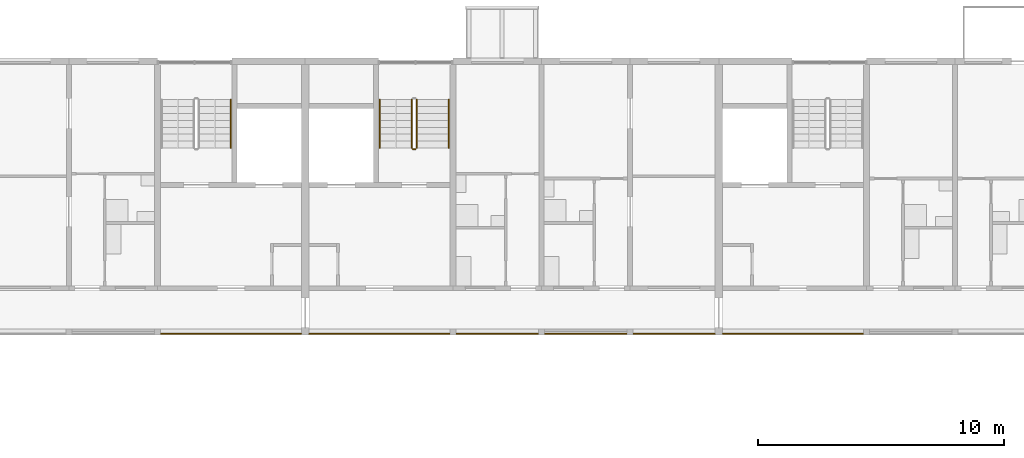
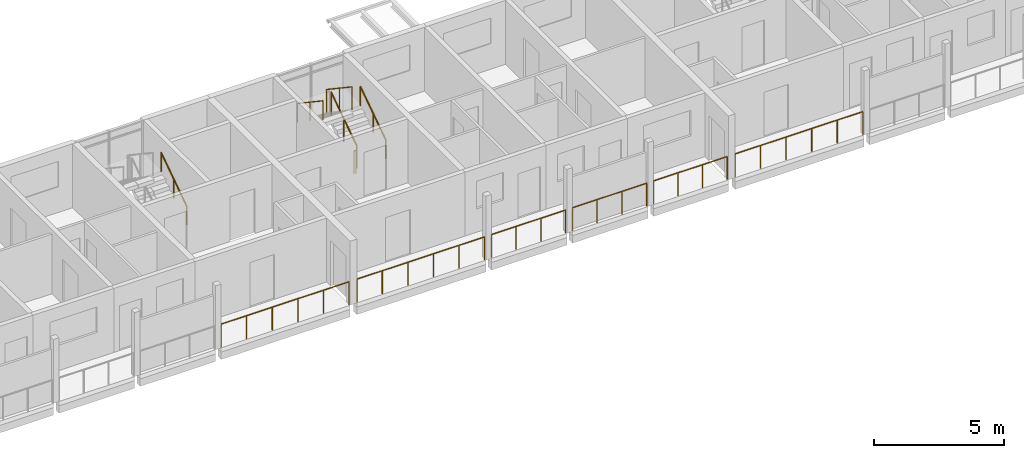
# One storey, part 81 of 100: 12 railings.
"""IFC4 building model written with IfcOpenShell, lengths in metres."""

from ifc_helpers import new_model, si_unit, direction, frame, origin, origin_2d, place, context, subcontext, project, spatial, circle, extrude, material, type_object, element, save


model = new_model("IFC4")

# Units and contexts
model_context = context("Model", 3, precision=1e-05, world=origin(), true_north=direction((0.0, 1.0)))
body_context = subcontext(model_context, "Body", "Model", "MODEL_VIEW")
ifc_project = project(units=[si_unit("LENGTHUNIT", "METRE"), si_unit("AREAUNIT", "SQUARE_METRE"), si_unit("VOLUMEUNIT", "CUBIC_METRE"), si_unit("PLANEANGLEUNIT", "RADIAN"), si_unit("MASSUNIT", "GRAM", prefix="KILO")], contexts=[model_context])

# Site, building, storey
site_placement = place(None, origin())
site = spatial("IfcSite", under=ifc_project, at=site_placement, CompositionType="ELEMENT")
building_placement = place(site_placement, origin())
building = spatial("IfcBuilding", under=site, at=building_placement, Name="Ridgestep Commons", CompositionType="ELEMENT")
storey_placement = place(building_placement, frame((0.0, 0.0, 9.0)))
storey = spatial("IfcBuildingStorey", under=building, at=storey_placement, Name="L03", CompositionType="ELEMENT", Elevation=9.0)

# Railings
ifc_material_1 = material(Name="Structural steel S355JR", Category="steel")
railing_type_1 = type_object("IfcRailingType", Name="Guard 1100", PredefinedType="GUARDRAIL", material=ifc_material_1)
railing_1_placement = place(storey_placement, frame((73.345947265625, 66.050048828125, 0.0)))
element("IfcRailing", 1, at=railing_1_placement, inside=storey, type_object=railing_type_1, Name="Gallery guard B 03.16", PredefinedType="GUARDRAIL", context=body_context, shape_type="SweptSolid", body=[
    extrude(circle(Radius=0.02392578125, at=origin_2d()), frame((0.0, 0.0, 1.076171875), z_axis=(1.0, 0.0, 0.0), x_axis=(0.0, 1.0, 0.0)), (0.0, 0.0, 1.0), 5.68310546875),
    extrude(circle(Radius=0.02099609375, at=origin_2d()), origin(), (0.0, 0.0, 1.0), 1.052001953125),
    extrude(circle(Radius=0.02099609375, at=origin_2d()), frame((1.13671875, 0.0, 0.0)), (0.0, 0.0, 1.0), 1.052001953125),
    extrude(circle(Radius=0.02099609375, at=origin_2d()), frame((2.273193359375, 0.0, 0.0)), (0.0, 0.0, 1.0), 1.052001953125),
    extrude(circle(Radius=0.02099609375, at=origin_2d()), frame((3.409912109375, 0.0, 0.0)), (0.0, 0.0, 1.0), 1.052001953125),
    extrude(circle(Radius=0.02099609375, at=origin_2d()), frame((4.54638671875, 0.0, 0.0)), (0.0, 0.0, 1.0), 1.052001953125),
    extrude(circle(Radius=0.02099609375, at=origin_2d()), frame((5.68310546875, 0.0, 0.0)), (0.0, 0.0, 1.0), 1.052001953125),
])
railing_2_placement = place(storey_placement, frame((79.37109375, 66.050048828125, 0.0)))
element("IfcRailing", 2, at=railing_2_placement, inside=storey, type_object=railing_type_1, Name="Gallery guard B 03.17", PredefinedType="GUARDRAIL", context=body_context, shape_type="SweptSolid", body=[
    extrude(circle(Radius=0.02392578125, at=origin_2d()), frame((0.0, 0.0, 1.076171875), z_axis=(1.0, 0.0, 0.0), x_axis=(0.0, 1.0, 0.0)), (0.0, 0.0, 1.0), 5.682861328125),
    extrude(circle(Radius=0.02099609375, at=origin_2d()), origin(), (0.0, 0.0, 1.0), 1.052001953125),
    extrude(circle(Radius=0.02099609375, at=origin_2d()), frame((1.136474609375, 0.0, 0.0)), (0.0, 0.0, 1.0), 1.052001953125),
    extrude(circle(Radius=0.02099609375, at=origin_2d()), frame((2.273193359375, 0.0, 0.0)), (0.0, 0.0, 1.0), 1.052001953125),
    extrude(circle(Radius=0.02099609375, at=origin_2d()), frame((3.40966796875, 0.0, 0.0)), (0.0, 0.0, 1.0), 1.052001953125),
    extrude(circle(Radius=0.02099609375, at=origin_2d()), frame((4.54638671875, 0.0, 0.0)), (0.0, 0.0, 1.0), 1.052001953125),
    extrude(circle(Radius=0.02099609375, at=origin_2d()), frame((5.682861328125, 0.0, 0.0)), (0.0, 0.0, 1.0), 1.052001953125),
])
railing_3_placement = place(storey_placement, frame((85.345947265625, 66.050048828125, 0.0)))
element("IfcRailing", 3, at=railing_3_placement, inside=storey, type_object=railing_type_1, Name="Gallery guard B 03.18", PredefinedType="GUARDRAIL", context=body_context, shape_type="SweptSolid", body=[
    extrude(circle(Radius=0.02392578125, at=origin_2d()), frame((0.0, 0.0, 1.076171875), z_axis=(1.0, 0.0, 0.0), x_axis=(0.0, 1.0, 0.0)), (0.0, 0.0, 1.0), 3.30810546875),
    extrude(circle(Radius=0.02099609375, at=origin_2d()), origin(), (0.0, 0.0, 1.0), 1.052001953125),
    extrude(circle(Radius=0.02099609375, at=origin_2d()), frame((1.102783203125, 0.0, 0.0)), (0.0, 0.0, 1.0), 1.052001953125),
    extrude(circle(Radius=0.02099609375, at=origin_2d()), frame((2.205322265625, 0.0, 0.0)), (0.0, 0.0, 1.0), 1.052001953125),
    extrude(circle(Radius=0.02099609375, at=origin_2d()), frame((3.30810546875, 0.0, 0.0)), (0.0, 0.0, 1.0), 1.052001953125),
])
railing_4_placement = place(storey_placement, frame((88.946044921875, 66.050048828125, 0.0)))
element("IfcRailing", 4, at=railing_4_placement, inside=storey, type_object=railing_type_1, Name="Gallery guard B 03.19", PredefinedType="GUARDRAIL", context=body_context, shape_type="SweptSolid", body=[
    extrude(circle(Radius=0.02392578125, at=origin_2d()), frame((0.0, 0.0, 1.076171875), z_axis=(1.0, 0.0, 0.0), x_axis=(0.0, 1.0, 0.0)), (0.0, 0.0, 1.0), 3.307861328125),
    extrude(circle(Radius=0.02099609375, at=origin_2d()), origin(), (0.0, 0.0, 1.0), 1.052001953125),
    extrude(circle(Radius=0.02099609375, at=origin_2d()), frame((1.1025390625, 0.0, 0.0)), (0.0, 0.0, 1.0), 1.052001953125),
    extrude(circle(Radius=0.02099609375, at=origin_2d()), frame((2.205322265625, 0.0, 0.0)), (0.0, 0.0, 1.0), 1.052001953125),
    extrude(circle(Radius=0.02099609375, at=origin_2d()), frame((3.307861328125, 0.0, 0.0)), (0.0, 0.0, 1.0), 1.052001953125),
])
railing_5_placement = place(storey_placement, frame((92.5458984375, 66.050048828125, 0.0)))
element("IfcRailing", 5, at=railing_5_placement, inside=storey, type_object=railing_type_1, Name="Gallery guard B 03.20", PredefinedType="GUARDRAIL", context=body_context, shape_type="SweptSolid", body=[
    extrude(circle(Radius=0.02392578125, at=origin_2d()), frame((0.0, 0.0, 1.076171875), z_axis=(1.0, 0.0, 0.0), x_axis=(0.0, 1.0, 0.0)), (0.0, 0.0, 1.0), 3.283203125),
    extrude(circle(Radius=0.02099609375, at=origin_2d()), origin(), (0.0, 0.0, 1.0), 1.052001953125),
    extrude(circle(Radius=0.02099609375, at=origin_2d()), frame((1.094482421875, 0.0, 0.0)), (0.0, 0.0, 1.0), 1.052001953125),
    extrude(circle(Radius=0.02099609375, at=origin_2d()), frame((2.188720703125, 0.0, 0.0)), (0.0, 0.0, 1.0), 1.052001953125),
    extrude(circle(Radius=0.02099609375, at=origin_2d()), frame((3.283203125, 0.0, 0.0)), (0.0, 0.0, 1.0), 1.052001953125),
])
railing_6_placement = place(storey_placement, frame((96.1708984375, 66.050048828125, 0.0)))
element("IfcRailing", 6, at=railing_6_placement, inside=storey, type_object=railing_type_1, Name="Gallery guard B 03.21", PredefinedType="GUARDRAIL", context=body_context, shape_type="SweptSolid", body=[
    extrude(circle(Radius=0.02392578125, at=origin_2d()), frame((0.0, 0.0, 1.076171875), z_axis=(1.0, 0.0, 0.0), x_axis=(0.0, 1.0, 0.0)), (0.0, 0.0, 1.0), 5.68310546875),
    extrude(circle(Radius=0.02099609375, at=origin_2d()), origin(), (0.0, 0.0, 1.0), 1.052001953125),
    extrude(circle(Radius=0.02099609375, at=origin_2d()), frame((1.13671875, 0.0, 0.0)), (0.0, 0.0, 1.0), 1.052001953125),
    extrude(circle(Radius=0.02099609375, at=origin_2d()), frame((2.273193359375, 0.0, 0.0)), (0.0, 0.0, 1.0), 1.052001953125),
    extrude(circle(Radius=0.02099609375, at=origin_2d()), frame((3.409912109375, 0.0, 0.0)), (0.0, 0.0, 1.0), 1.052001953125),
    extrude(circle(Radius=0.02099609375, at=origin_2d()), frame((4.54638671875, 0.0, 0.0)), (0.0, 0.0, 1.0), 1.052001953125),
    extrude(circle(Radius=0.02099609375, at=origin_2d()), frame((5.68310546875, 0.0, 0.0)), (0.0, 0.0, 1.0), 1.052001953125),
])
ifc_material_2 = material(Name="Structural steel S355JR", Category="steel")
railing_type_2 = type_object("IfcRailingType", Name="Stair guard 1100", PredefinedType="GUARDRAIL", material=ifc_material_2)
railing_7_placement = place(storey_placement, frame((83.72509765625, 73.60009765625, 0.1875)))
element("IfcRailing", 7, at=railing_7_placement, inside=storey, type_object=railing_type_2, Name="L03 B5C stair guard 1", PredefinedType="GUARDRAIL", context=body_context, shape_type="SweptSolid", body=[
    extrude(circle(Radius=0.02392578125, at=origin_2d()), frame((0.0, 0.0, 1.076171875), z_axis=(0.0, 0.830902050051, 0.556418712142), x_axis=(-1.0, 0.0, 0.0)), (0.0, 0.0, 1.0), 2.35888671875),
    extrude(circle(Radius=0.02099609375, at=origin_2d()), origin(), (0.0, 0.0, 1.0), 1.052001953125),
    extrude(circle(Radius=0.02099609375, at=origin_2d()), frame((0.0, 0.97998046875, 0.65625)), (0.0, 0.0, 1.0), 1.052001953125),
    extrude(circle(Radius=0.02099609375, at=origin_2d()), frame((0.0, 1.9599609375, 1.3125)), (0.0, 0.0, 1.0), 1.052001953125),
])
railing_8_placement = place(storey_placement, frame((83.52490234375, 75.56005859375, 1.6875)))
element("IfcRailing", 8, at=railing_8_placement, inside=storey, type_object=railing_type_2, Name="L03 B5C stair guard 3", PredefinedType="GUARDRAIL", context=body_context, shape_type="SweptSolid", body=[
    extrude(circle(Radius=0.02392578125, at=origin_2d()), frame((0.0, 0.0, 1.076171875), z_axis=(0.0, -0.830902050051, 0.556418712142), x_axis=(1.0, 0.0, 0.0)), (0.0, 0.0, 1.0), 2.35888671875),
    extrude(circle(Radius=0.02099609375, at=origin_2d()), origin(), (0.0, 0.0, 1.0), 1.052001953125),
    extrude(circle(Radius=0.02099609375, at=origin_2d()), frame((0.0, -0.97998046875, 0.65625)), (0.0, 0.0, 1.0), 1.052001953125),
    extrude(circle(Radius=0.02099609375, at=origin_2d()), frame((0.0, -1.9599609375, 1.3125)), (0.0, 0.0, 1.0), 1.052001953125),
])
railing_9_placement = place(storey_placement, frame((83.675048828125, 73.550048828125, 0.0)))
element("IfcRailing", 9, at=railing_9_placement, inside=storey, type_object=railing_type_2, Name="L03 B5C stair guard 4", PredefinedType="GUARDRAIL", context=body_context, shape_type="SweptSolid", body=[
    extrude(circle(Radius=0.02392578125, at=origin_2d()), frame((0.0, 0.0, 1.076171875), z_axis=(-1.0, 0.0, 0.0), x_axis=(0.0, -1.0, 0.0)), (0.0, 0.0, 1.0), 0.10009765625),
    extrude(circle(Radius=0.02099609375, at=origin_2d()), origin(), (0.0, 0.0, 1.0), 1.052001953125),
    extrude(circle(Radius=0.02099609375, at=origin_2d()), frame((-0.10009765625, 0.0, 0.0)), (0.0, 0.0, 1.0), 1.052001953125),
])
ifc_material_3 = material(Name="Structural steel S355JR", Category="steel")
railing_type_3 = type_object("IfcRailingType", Name="Stair handrail 900", PredefinedType="HANDRAIL", material=ifc_material_3)
for number, where, name in (
    (10, (76.175048828125, 73.60009765625, 0.1875), "L03 B4C stair handrail 1"),
    (11, (85.02490234375, 73.60009765625, 0.1875), "L03 B5C stair handrail 1"),
):
    element("IfcRailing", number, at=place(storey_placement, frame(where)), inside=storey, type_object=railing_type_3, Name=name, PredefinedType="HANDRAIL", context=body_context, shape_type="SweptSolid", body=[
        extrude(circle(Radius=0.02392578125, at=origin_2d()), frame((0.0, 0.0, 0.8759765625), z_axis=(0.0, 0.830902050051, 0.556418712142), x_axis=(-1.0, 0.0, 0.0)), (0.0, 0.0, 1.0), 2.35888671875),
        extrude(circle(Radius=0.02099609375, at=origin_2d()), origin(), (0.0, 0.0, 1.0), 0.851806640625),
        extrude(circle(Radius=0.02099609375, at=origin_2d()), frame((0.0, 0.97998046875, 0.65625)), (0.0, 0.0, 1.0), 0.851806640625),
        extrude(circle(Radius=0.02099609375, at=origin_2d()), frame((0.0, 1.9599609375, 1.3125)), (0.0, 0.0, 1.0), 0.851806640625),
    ])
railing_10_placement = place(storey_placement, frame((82.22509765625, 75.56005859375, 1.6875)))
element("IfcRailing", 12, at=railing_10_placement, inside=storey, type_object=railing_type_3, Name="L03 B5C stair handrail 2", PredefinedType="HANDRAIL", context=body_context, shape_type="SweptSolid", body=[
    extrude(circle(Radius=0.02392578125, at=origin_2d()), frame((0.0, 0.0, 0.8759765625), z_axis=(0.0, -0.830902050051, 0.556418712142), x_axis=(1.0, 0.0, 0.0)), (0.0, 0.0, 1.0), 2.35888671875),
    extrude(circle(Radius=0.02099609375, at=origin_2d()), origin(), (0.0, 0.0, 1.0), 0.851806640625),
    extrude(circle(Radius=0.02099609375, at=origin_2d()), frame((0.0, -0.97998046875, 0.65625)), (0.0, 0.0, 1.0), 0.851806640625),
    extrude(circle(Radius=0.02099609375, at=origin_2d()), frame((0.0, -1.9599609375, 1.3125)), (0.0, 0.0, 1.0), 0.851806640625),
])

save(model, "model.ifc")
